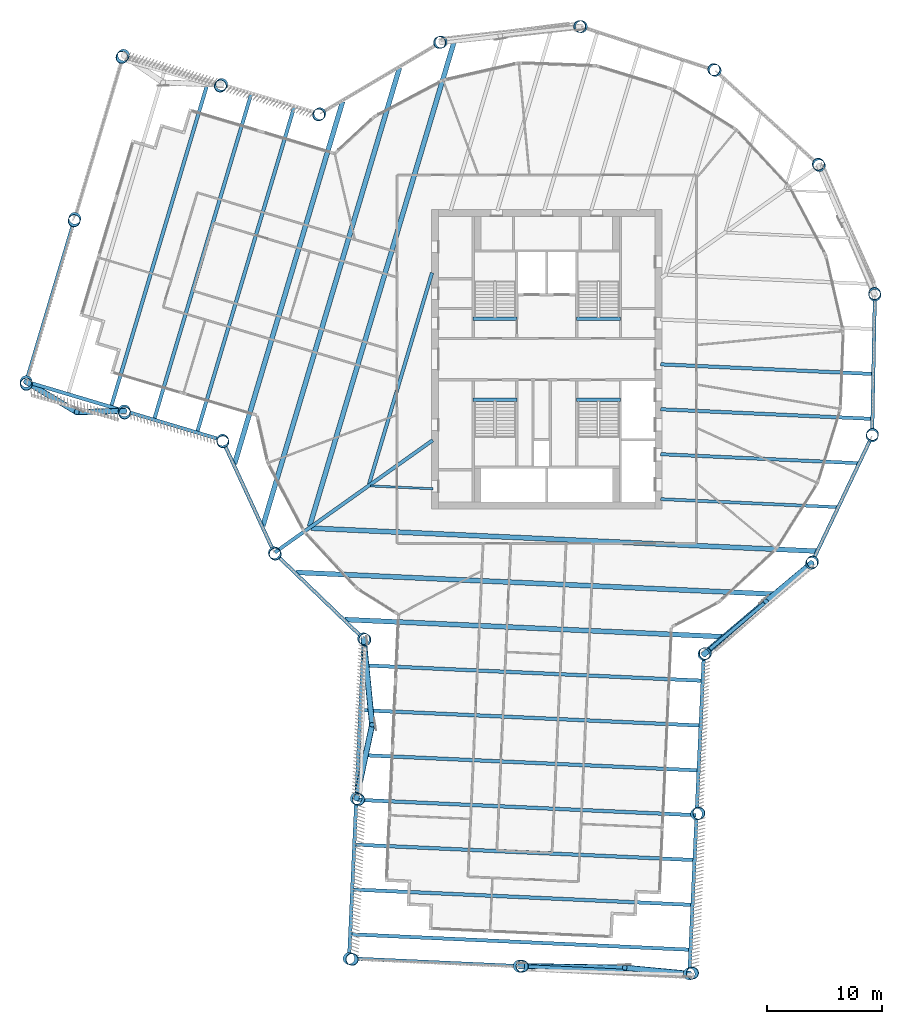
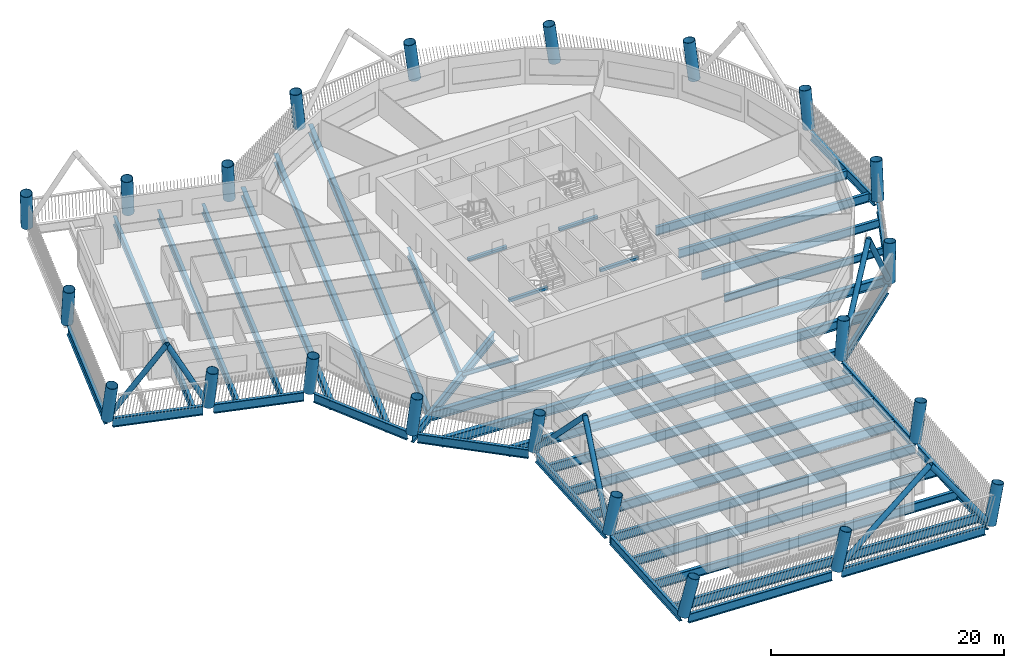
# One storey, part 1 of 24: 41 beams, 22 columns, 8 members.
"""IFC4 building model written with IfcOpenShell, lengths in metres."""

from ifc_helpers import new_model, si_unit, direction, frame, origin, origin_2d, place, context, subcontext, project, spatial, rectangle, hollow_circle, i_section, extrude, material, material_profile, profile_set, type_object, element, save


model = new_model("IFC4")

# Units and contexts
model_context = context("Model", 3, precision=1e-05, world=origin(), true_north=direction((0.0, 1.0)))
body_context = subcontext(model_context, "Body", "Model", "MODEL_VIEW")
ifc_project = project(units=[si_unit("LENGTHUNIT", "METRE"), si_unit("AREAUNIT", "SQUARE_METRE"), si_unit("VOLUMEUNIT", "CUBIC_METRE"), si_unit("PLANEANGLEUNIT", "RADIAN"), si_unit("MASSUNIT", "GRAM", prefix="KILO")], contexts=[model_context])

# Site, building, storey
site_placement = place(None, origin())
site = spatial("IfcSite", under=ifc_project, at=site_placement, CompositionType="ELEMENT")
building_placement = place(site_placement, origin())
building = spatial("IfcBuilding", under=site, at=building_placement, Name="Tarsis Ring Headquarters", CompositionType="ELEMENT")
storey_placement = place(building_placement, frame((0.0, 0.0, 216.0)))
storey = spatial("IfcBuildingStorey", under=building, at=storey_placement, Name="L50", CompositionType="ELEMENT", Elevation=216.0)

# Columns
ifc_material_1 = material(Name="Structural steel S355", Category="steel")
ifc_material_profile_1 = material_profile(ifc_material_1, hollow_circle(Radius=0.533447265625, WallThickness=0.044921875, at=origin_2d()), Name="CHS 1067x45")
ifc_profile_set_1 = profile_set([ifc_material_profile_1], Name="Structural steel S355")
column_type = type_object("IfcColumnType", Name="XC Exo column CHS 1067x45", PredefinedType="COLUMN", material=ifc_profile_set_1)
for number, where, z_axis, x_axis, name in (
    (1, (-23.67822265625, -16.827392578125, 0.0009765625), (0.072592474358, -0.100311860971, 0.992304319861), (0.810122967529, 0.586259991371, 0.0), "Exo column XC5 F1"),
    (2, (-15.91845703125, -24.298583984375, 0.0009765625), (0.104103814628, -0.066937199018, 0.992311345883), (0.540833729925, 0.841129524256, 0.0), "Exo column XC5 AK"),
):
    element("IfcColumn", number, at=place(storey_placement, frame(where, z_axis=z_axis, x_axis=x_axis)), inside=storey, type_object=column_type, Name=name, PredefinedType="COLUMN", context=body_context, shape_type="SweptSolid", body=[
        extrude(hollow_circle(Radius=0.533447265625, WallThickness=0.044921875, at=origin_2d()), origin(), (0.0, 0.0, 1.0), 3.92822265625),
    ])
column_1_placement = place(storey_placement, frame((-16.549072265625, -38.1865234375, 0.00146484375), z_axis=(0.162060969529, -0.068635410611, 0.984390889112), x_axis=(0.389982878965, 0.920822107746, 0.0)))
element("IfcColumn", 3, at=column_1_placement, inside=storey, type_object=column_type, Name="Exo column XC5 AI1", PredefinedType="COLUMN", context=body_context, shape_type="SweptSolid", body=[
    extrude(hollow_circle(Radius=0.533447265625, WallThickness=0.044921875, at=origin_2d()), origin(), (0.0, 0.0, 1.0), 3.958984375),
])
column_2_placement = place(storey_placement, frame((-17.179443359375, -52.074462890625, 0.001708984375), z_axis=(0.218334938268, -0.070013550037, 0.973359110268), x_axis=(0.305354745781, 0.952238667157, 0.0)))
element("IfcColumn", 4, at=column_2_placement, inside=storey, type_object=column_type, Name="Exo column XC5 AT1", PredefinedType="COLUMN", context=body_context, shape_type="SweptSolid", body=[
    extrude(hollow_circle(Radius=0.533447265625, WallThickness=0.044921875, at=origin_2d()), origin(), (0.0, 0.0, 1.0), 4.003173828125),
])
column_3_placement = place(storey_placement, frame((-2.394775390625, -52.74560546875, 0.001708984375), z_axis=(0.221061694415, -0.008187470164, 0.975225457315), x_axis=(0.03701166051, 0.999314833767, 0.0)))
element("IfcColumn", 5, at=column_3_placement, inside=storey, type_object=column_type, Name="Exo column XC5 AT2", PredefinedType="COLUMN", context=body_context, shape_type="SweptSolid", body=[
    extrude(hollow_circle(Radius=0.533447265625, WallThickness=0.044921875, at=origin_2d()), origin(), (0.0, 0.0, 1.0), 3.99560546875),
])
column_4_placement = place(storey_placement, frame((12.389892578125, -53.4169921875, 0.001708984375), z_axis=(0.222967314576, 0.053668281408, 0.973347467352), x_axis=(-0.23401659987, 0.972232601277, 0.0)))
element("IfcColumn", 6, at=column_4_placement, inside=storey, type_object=column_type, Name="Exo column XC5 AT3", PredefinedType="COLUMN", context=body_context, shape_type="SweptSolid", body=[
    extrude(hollow_circle(Radius=0.533447265625, WallThickness=0.044921875, at=origin_2d()), origin(), (0.0, 0.0, 1.0), 4.003173828125),
])
column_5_placement = place(storey_placement, frame((13.0205078125, -39.529052734375, 0.00146484375), z_axis=(0.166685961701, 0.05648699257, 0.984390679478), x_axis=(-0.320954053144, 0.947094765992, 0.0)))
element("IfcColumn", 7, at=column_5_placement, inside=storey, type_object=column_type, Name="Exo column XC5 AO1", PredefinedType="COLUMN", context=body_context, shape_type="SweptSolid", body=[
    extrude(hollow_circle(Radius=0.533447265625, WallThickness=0.044921875, at=origin_2d()), origin(), (0.0, 0.0, 1.0), 3.958984375),
])
for number, where, z_axis, x_axis, name in (
    (8, (13.651123046875, -25.64111328125, 0.0009765625), (0.108764896499, 0.059105952326, 0.992308764291), (-0.47747961594, 0.878642826387, 0.0), "Exo column XC5 AJ"),
    (9, (23.00634765625, -17.734619140625, 0.0009765625), (0.074767801101, 0.098695983498, 0.992304831571), (-0.797099469446, 0.603848023768, 0.0), "Exo column XC5 R1"),
    (10, (28.271240234375, -6.675048828125, 0.0009765625), (0.02740860416, 0.120759450981, 0.99230334244), (-0.975196908675, 0.221339082206, 0.0), "Exo column XC5 R2"),
    (11, (28.50927734375, 5.571533203125, 0.0009765625), (-0.024798271683, 0.12131886297, 0.992303773655), (-0.979741798547, -0.200264845092, 0.0), "Exo column XC5 R3"),
    (12, (23.67822265625, 16.827392578125, 0.0009765625), (-0.072592474358, 0.100311860971, 0.992304319861), (-0.810122967529, -0.586259991371, 0.0), "Exo column XC5 R4"),
    (13, (14.636962890625, 25.09130859375, 0.0009765625), (-0.107459580553, 0.061467625892, 0.99230749746), (-0.496517351988, -0.868026796346, 0.0), "Exo column XC5 R5"),
    (14, (2.993408203125, 28.893798828125, 0.0009765625), (-0.123245901594, 0.011746583662, 0.992306638853), (-0.09488016367, -0.995488701363, 0.0), "Exo column XC5 R6"),
    (15, (-9.182373046875, 27.55908203125, 0.0009765625), (-0.117154507746, -0.040149502389, 0.992301788154), (0.324196017472, -0.945989927143, 0.0), "Exo column XC5 R7"),
    (16, (-19.7255859375, 21.323974609375, 0.0009765625), (-0.090242981776, -0.084835860967, 0.992299894656), (0.684941975978, -0.728597618403, 0.0), "Exo column XC5 BJ"),
):
    element("IfcColumn", number, at=place(storey_placement, frame(where, z_axis=z_axis, x_axis=x_axis)), inside=storey, type_object=column_type, Name=name, PredefinedType="COLUMN", context=body_context, shape_type="SweptSolid", body=[
        extrude(hollow_circle(Radius=0.533447265625, WallThickness=0.044921875, at=origin_2d()), origin(), (0.0, 0.0, 1.0), 3.92822265625),
    ])
column_6_placement = place(storey_placement, frame((-28.2568359375, 23.8671875, 0.001220703125), z_axis=(-0.100282962926, -0.120698371788, 0.987610869925), x_axis=(0.769157578713, -0.639059167142, 0.0)))
element("IfcColumn", 17, at=column_6_placement, inside=storey, type_object=column_type, Name="Exo column XC5 BO1", PredefinedType="COLUMN", context=body_context, shape_type="SweptSolid", body=[
    extrude(hollow_circle(Radius=0.533447265625, WallThickness=0.044921875, at=origin_2d()), origin(), (0.0, 0.0, 1.0), 3.9462890625),
])
column_7_placement = place(storey_placement, frame((-36.7880859375, 26.410400390625, 0.00146484375), z_axis=(-0.110077068993, -0.156075754806, 0.981592276683), x_axis=(0.817199805349, -0.576354472645, 0.0)))
element("IfcColumn", 18, at=column_7_placement, inside=storey, type_object=column_type, Name="Exo column XC5 BT3", PredefinedType="COLUMN", context=body_context, shape_type="SweptSolid", body=[
    extrude(hollow_circle(Radius=0.533447265625, WallThickness=0.044921875, at=origin_2d()), origin(), (0.0, 0.0, 1.0), 3.969970703125),
])
column_8_placement = place(storey_placement, frame((-41.016357421875, 12.227294921875, 0.00146484375), z_axis=(-0.050213639527, -0.173745353946, 0.983509604624), x_axis=(0.96068389897, -0.277644460163, 0.0)))
element("IfcColumn", 19, at=column_8_placement, inside=storey, type_object=column_type, Name="Exo column XC5 BT2", PredefinedType="COLUMN", context=body_context, shape_type="SweptSolid", body=[
    extrude(hollow_circle(Radius=0.533447265625, WallThickness=0.044921875, at=origin_2d()), origin(), (0.0, 0.0, 1.0), 3.962646484375),
])
column_9_placement = place(storey_placement, frame((-45.244384765625, -1.9560546875, 0.00146484375), z_axis=(0.009839360721, -0.190699109976, 0.981599223938), x_axis=(0.998671564821, 0.051527716985, 0.0)))
element("IfcColumn", 20, at=column_9_placement, inside=storey, type_object=column_type, Name="Exo column XC5 BT1", PredefinedType="COLUMN", context=body_context, shape_type="SweptSolid", body=[
    extrude(hollow_circle(Radius=0.533447265625, WallThickness=0.044921875, at=origin_2d()), origin(), (0.0, 0.0, 1.0), 3.969970703125),
])
column_10_placement = place(storey_placement, frame((-36.713134765625, -4.499267578125, 0.001220703125), z_axis=(0.02041540562, -0.155590136767, 0.987610713062), x_axis=(0.991501195988, 0.130097572436, 0.0)))
element("IfcColumn", 21, at=column_10_placement, inside=storey, type_object=column_type, Name="Exo column XC5 BI1", PredefinedType="COLUMN", context=body_context, shape_type="SweptSolid", body=[
    extrude(hollow_circle(Radius=0.533447265625, WallThickness=0.044921875, at=origin_2d()), origin(), (0.0, 0.0, 1.0), 3.9462890625),
])
column_11_placement = place(storey_placement, frame((-28.181884765625, -7.04248046875, 0.0009765625), z_axis=(0.031013576233, -0.119828005965, 0.992310136538), x_axis=(0.968100725777, 0.250561339296, 0.0)))
element("IfcColumn", 22, at=column_11_placement, inside=storey, type_object=column_type, Name="Exo column XC5 BK", PredefinedType="COLUMN", context=body_context, shape_type="SweptSolid", body=[
    extrude(hollow_circle(Radius=0.533447265625, WallThickness=0.044921875, at=origin_2d()), origin(), (0.0, 0.0, 1.0), 3.92822265625),
])

# Beams
ifc_material_profile_2 = material_profile(ifc_material_1, i_section(OverallWidth=0.1904296875, OverallDepth=0.457275390625, WebThickness=0.009033203125, FlangeThickness=0.014404296875, at=origin_2d()), Name="W18x50")
ifc_profile_set_2 = profile_set([ifc_material_profile_2], Name="Structural steel S355")
beam_type_1 = type_object("IfcBeamType", Name="FB Floor beam W18x50", PredefinedType="JOIST", material=ifc_profile_set_2)
beam_1_placement = place(storey_placement, frame((-15.339111328125, -11.015625, -0.388671875), z_axis=(0.998971865944, -0.045334435608, 0.0), x_axis=(0.045334435608, 0.998971865944, 0.0)))
element("IfcBeam", 23, at=beam_1_placement, inside=storey, type_object=beam_type_1, Name="Floor beam FB2", PredefinedType="JOIST", context=body_context, shape_type="SweptSolid", body=[
    extrude(i_section(OverallWidth=0.1904296875, OverallDepth=0.457275390625, WebThickness=0.009033203125, FlangeThickness=0.014404296875, at=origin_2d()), origin(), (0.0, 0.0, 1.0), 5.444580078125),
])
ifc_material_profile_3 = material_profile(ifc_material_1, i_section(OverallWidth=0.2666015625, OverallDepth=0.7568359375, WebThickness=0.013916015625, FlangeThickness=0.019287109375, at=origin_2d()), Name="W30x108")
ifc_profile_set_3 = profile_set([ifc_material_profile_3], Name="Structural steel S355")
beam_type_2 = type_object("IfcBeamType", Name="FB Floor beam W30x108", PredefinedType="JOIST", material=ifc_profile_set_3)
beam_2_placement = place(storey_placement, frame((9.900146484375, -12.16162109375, -0.538330078125), z_axis=(0.998970209455, -0.045370922636, 0.0), x_axis=(0.045370922636, 0.998970209455, 0.0)))
element("IfcBeam", 24, at=beam_2_placement, inside=storey, type_object=beam_type_2, Name="Floor beam FB6", PredefinedType="JOIST", context=body_context, shape_type="SweptSolid", body=[
    extrude(i_section(OverallWidth=0.2666015625, OverallDepth=0.7568359375, WebThickness=0.013916015625, FlangeThickness=0.019287109375, at=origin_2d()), origin(), (0.0, 0.0, 1.0), 15.37353515625),
])
ifc_material_profile_4 = material_profile(ifc_material_1, i_section(OverallWidth=0.2919921875, OverallDepth=0.835693359375, WebThickness=0.013916015625, FlangeThickness=0.018798828125, at=origin_2d()), Name="W33x118")
ifc_profile_set_4 = profile_set([ifc_material_profile_4], Name="Structural steel S355")
beam_type_3 = type_object("IfcBeamType", Name="FB Floor beam W33x118", PredefinedType="JOIST", material=ifc_profile_set_4)
beam_3_placement = place(storey_placement, frame((9.900146484375, -8.257568359375, -0.577880859375), z_axis=(0.998970471513, -0.045365152318, 0.0), x_axis=(0.045365152318, 0.998970471513, 0.0)))
element("IfcBeam", 25, at=beam_3_placement, inside=storey, type_object=beam_type_3, Name="Floor beam FB7", PredefinedType="JOIST", context=body_context, shape_type="SweptSolid", body=[
    extrude(i_section(OverallWidth=0.2919921875, OverallDepth=0.835693359375, WebThickness=0.013916015625, FlangeThickness=0.018798828125, at=origin_2d()), origin(), (0.0, 0.0, 1.0), 17.194580078125),
])
ifc_material_profile_5 = material_profile(ifc_material_1, i_section(OverallWidth=0.3046875, OverallDepth=0.904296875, WebThickness=0.01513671875, FlangeThickness=0.02001953125, at=origin_2d()), Name="W36x135")
ifc_profile_set_5 = profile_set([ifc_material_profile_5], Name="Structural steel S355")
beam_type_4 = type_object("IfcBeamType", Name="FB Floor beam W36x135", PredefinedType="JOIST", material=ifc_profile_set_5)
beam_4_placement = place(storey_placement, frame((9.900146484375, -0.449462890625, -0.612060546875), z_axis=(0.99897012292, -0.045372827907, 0.0), x_axis=(0.045372827907, 0.99897012292, 0.0)))
element("IfcBeam", 26, at=beam_4_placement, inside=storey, type_object=beam_type_4, Name="Floor beam FB8", PredefinedType="JOIST", context=body_context, shape_type="SweptSolid", body=[
    extrude(i_section(OverallWidth=0.3046875, OverallDepth=0.904296875, WebThickness=0.01513671875, FlangeThickness=0.02001953125, at=origin_2d()), origin(), (0.0, 0.0, 1.0), 18.43994140625),
])
beam_5_placement = place(storey_placement, frame((9.900146484375, -4.353515625, -0.612060546875), z_axis=(0.998970649822, -0.045361225658, 0.0), x_axis=(0.045361225658, 0.998970649822, 0.0)))
element("IfcBeam", 27, at=beam_5_placement, inside=storey, type_object=beam_type_4, Name="Floor beam FB8", PredefinedType="JOIST", context=body_context, shape_type="SweptSolid", body=[
    extrude(i_section(OverallWidth=0.3046875, OverallDepth=0.904296875, WebThickness=0.01513671875, FlangeThickness=0.02001953125, at=origin_2d()), origin(), (0.0, 0.0, 1.0), 18.36376953125),
])
beam_6_placement = place(storey_placement, frame((-9.971435546875, 7.505126953125, -0.612060546875), z_axis=(-0.285686918786, -0.958323006316, 0.0), x_axis=(0.958323006316, -0.285686918786, 0.0)))
element("IfcBeam", 28, at=beam_6_placement, inside=storey, type_object=beam_type_4, Name="Floor beam FB8", PredefinedType="JOIST", context=body_context, shape_type="SweptSolid", body=[
    extrude(i_section(OverallWidth=0.3046875, OverallDepth=0.904296875, WebThickness=0.01513671875, FlangeThickness=0.02001953125, at=origin_2d()), origin(), (0.0, 0.0, 1.0), 19.167236328125),
])
ifc_material_profile_6 = material_profile(ifc_material_1, i_section(OverallWidth=0.309814453125, OverallDepth=0.949951171875, WebThickness=0.0244140625, FlangeThickness=0.0439453125, at=origin_2d()), Name="W36x256")
ifc_profile_set_6 = profile_set([ifc_material_profile_6], Name="Structural steel S355")
beam_type_5 = type_object("IfcBeamType", Name="FB Floor beam W36x256", PredefinedType="JOIST", material=ifc_profile_set_6)
for number, where, z_axis, x_axis, name in (
    (29, (-15.96826171875, -26.60302734375, -0.635009765625), (0.99897074101, -0.045359217433, 0.0), (0.045359217433, 0.99897074101, 0.0), "Floor beam FB11"),
    (30, (-16.145263671875, -30.4990234375, -0.635009765625), (0.99897074101, -0.045359217433, 0.0), (0.045359217433, 0.99897074101, 0.0), "Floor beam FB11"),
    (31, (-16.322021484375, -34.39501953125, -0.635009765625), (0.99897074101, -0.045359217433, 0.0), (0.045359217433, 0.99897074101, 0.0), "Floor beam FB11"),
    (32, (-16.4990234375, -38.291015625, -0.635009765625), (0.99897074101, -0.045359217433, 0.0), (0.045359217433, 0.99897074101, 0.0), "Floor beam FB11"),
    (33, (-16.676025390625, -42.18701171875, -0.635009765625), (0.99897074101, -0.045359217433, 0.0), (0.045359217433, 0.99897074101, 0.0), "Floor beam FB11"),
    (34, (-16.852783203125, -46.0830078125, -0.635009765625), (0.99897074101, -0.045359217433, 0.0), (0.045359217433, 0.99897074101, 0.0), "Floor beam FB11"),
    (35, (-17.02978515625, -49.97900390625, -0.635009765625), (0.99897074101, -0.045359217433, 0.0), (0.045359217433, 0.99897074101, 0.0), "Floor beam FB11"),
    (36, (-21.94970703125, 21.9296875, -0.635009765625), (-0.285690948844, -0.958321804901, 0.0), (0.958321804901, -0.285690948844, 0.0), "Floor beam FB11"),
    (37, (-25.687255859375, 23.0439453125, -0.635009765625), (-0.285683345784, -0.958324071461, 0.0), (0.958324071461, -0.285683345784, 0.0), "Floor beam FB11"),
    (38, (-29.424560546875, 24.158203125, -0.635009765625), (-0.285690948844, -0.958321804901, 0.0), (0.958321804901, -0.285690948844, 0.0), "Floor beam FB11"),
):
    element("IfcBeam", number, at=place(storey_placement, frame(where, z_axis=z_axis, x_axis=x_axis)), inside=storey, type_object=beam_type_5, Name=name, PredefinedType="JOIST", context=body_context, shape_type="SweptSolid", body=[
        extrude(i_section(OverallWidth=0.309814453125, OverallDepth=0.949951171875, WebThickness=0.0244140625, FlangeThickness=0.0439453125, at=origin_2d()), origin(), (0.0, 0.0, 1.0), 29.489990234375),
    ])
beam_type_6 = type_object("IfcBeamType", Name="FB Floor beam W36x256 spine", PredefinedType="BEAM", material=ifc_profile_set_6)
beam_7_placement = place(storey_placement, frame((-9.91845703125, -7.048583984375, -0.635009765625), z_axis=(-0.815124505897, -0.579285801558, 0.0), x_axis=(0.579285801558, -0.815124505897, 0.0)))
element("IfcBeam", 39, at=beam_7_placement, inside=storey, type_object=beam_type_6, Name="Floor beam SB11", PredefinedType="BEAM", context=body_context, shape_type="SweptSolid", body=[
    extrude(i_section(OverallWidth=0.309814453125, OverallDepth=0.949951171875, WebThickness=0.0244140625, FlangeThickness=0.0439453125, at=origin_2d()), origin(), (0.0, 0.0, 1.0), 16.822998046875),
])
ifc_material_profile_7 = material_profile(ifc_material_1, i_section(OverallWidth=0.42431640625, OverallDepth=0.947509765625, WebThickness=0.02392578125, FlangeThickness=0.042724609375, at=origin_2d()), Name="W36x302")
ifc_profile_set_7 = profile_set([ifc_material_profile_7], Name="Structural steel S355")
beam_type_7 = type_object("IfcBeamType", Name="FB Floor beam W36x302", PredefinedType="JOIST", material=ifc_profile_set_7)
beam_8_placement = place(storey_placement, frame((-20.502685546875, -14.68505859375, -0.6337890625), z_axis=(0.998970576233, -0.045362846251, 0.0), x_axis=(0.045362846251, 0.998970576233, 0.0)))
element("IfcBeam", 40, at=beam_8_placement, inside=storey, type_object=beam_type_7, Name="Floor beam FB12", PredefinedType="JOIST", context=body_context, shape_type="SweptSolid", body=[
    extrude(i_section(OverallWidth=0.42431640625, OverallDepth=0.947509765625, WebThickness=0.02392578125, FlangeThickness=0.042724609375, at=origin_2d()), origin(), (0.0, 0.0, 1.0), 43.986572265625),
])
beam_9_placement = place(storey_placement, frame((-21.780517578125, -18.531005859375, -0.6337890625), z_axis=(0.998970406274, -0.045366588907, 0.0), x_axis=(0.045366588907, 0.998970406274, 0.0)))
element("IfcBeam", 41, at=beam_9_placement, inside=storey, type_object=beam_type_7, Name="Floor beam FB12", PredefinedType="JOIST", context=body_context, shape_type="SweptSolid", body=[
    extrude(i_section(OverallWidth=0.42431640625, OverallDepth=0.947509765625, WebThickness=0.02392578125, FlangeThickness=0.042724609375, at=origin_2d()), origin(), (0.0, 0.0, 1.0), 41.523681640625),
])
beam_10_placement = place(storey_placement, frame((-17.52490234375, -22.62841796875, -0.6337890625), z_axis=(0.998970713363, -0.045359826322, 0.0), x_axis=(0.045359826322, 0.998970713363, 0.0)))
element("IfcBeam", 42, at=beam_10_placement, inside=storey, type_object=beam_type_7, Name="Floor beam FB12", PredefinedType="JOIST", context=body_context, shape_type="SweptSolid", body=[
    extrude(i_section(OverallWidth=0.42431640625, OverallDepth=0.947509765625, WebThickness=0.02392578125, FlangeThickness=0.042724609375, at=origin_2d()), origin(), (0.0, 0.0, 1.0), 32.875244140625),
])
beam_11_placement = place(storey_placement, frame((-8.04443359375, 27.62060546875, -0.6337890625), z_axis=(-0.28568744209, -0.958322850313, 0.0), x_axis=(0.958322850313, -0.28568744209, 0.0)))
element("IfcBeam", 43, at=beam_11_placement, inside=storey, type_object=beam_type_7, Name="Floor beam FB12", PredefinedType="JOIST", context=body_context, shape_type="SweptSolid", body=[
    extrude(i_section(OverallWidth=0.42431640625, OverallDepth=0.947509765625, WebThickness=0.02392578125, FlangeThickness=0.042724609375, at=origin_2d()), origin(), (0.0, 0.0, 1.0), 43.986572265625),
])
beam_12_placement = place(storey_placement, frame((-12.80029296875, 25.318359375, -0.6337890625), z_axis=(-0.285688229433, -0.958322615596, 0.0), x_axis=(0.958322615596, -0.285688229433, 0.0)))
element("IfcBeam", 44, at=beam_12_placement, inside=storey, type_object=beam_type_7, Name="Floor beam FB12", PredefinedType="JOIST", context=body_context, shape_type="SweptSolid", body=[
    extrude(i_section(OverallWidth=0.42431640625, OverallDepth=0.947509765625, WebThickness=0.02392578125, FlangeThickness=0.042724609375, at=origin_2d()), origin(), (0.0, 0.0, 1.0), 41.523681640625),
])
beam_13_placement = place(storey_placement, frame((-17.740966796875, 22.396728515625, -0.6337890625), z_axis=(-0.285688467523, -0.958322544619, 0.0), x_axis=(0.958322544619, -0.285688467523, 0.0)))
element("IfcBeam", 45, at=beam_13_placement, inside=storey, type_object=beam_type_7, Name="Floor beam FB12", PredefinedType="JOIST", context=body_context, shape_type="SweptSolid", body=[
    extrude(i_section(OverallWidth=0.42431640625, OverallDepth=0.947509765625, WebThickness=0.02392578125, FlangeThickness=0.042724609375, at=origin_2d()), origin(), (0.0, 0.0, 1.0), 32.875244140625),
])
ifc_material_2 = material(Name="Concrete C40/50", Category="concrete")
ifc_material_profile_8 = material_profile(ifc_material_2, rectangle(XDim=0.300048828125, YDim=0.300048828125, at=origin_2d()), Name="Stair head beam 300x300 C40/50")
ifc_profile_set_8 = profile_set([ifc_material_profile_8], Name="Concrete C40/50")
beam_type_8 = type_object("IfcBeamType", Name="Stair head beam 300x300 C40/50", PredefinedType="BEAM", material=ifc_profile_set_8)
for number, where, z_axis, x_axis, name in (
    (46, (-6.39990234375, 3.510009765625, -0.31005859375), (1.0, 0.0, 0.0), (0.0, 1.0, 0.0), "Stair head beam L50 Firefighting stair"),
    (47, (2.60009765625, 3.510009765625, -0.31005859375), (1.0, 0.0, 0.0), (0.0, 1.0, 0.0), "Stair head beam L50 Exit stair B"),
    (48, (-6.39990234375, -3.510009765625, -0.31005859375), (1.0, 0.0, 0.0), (0.0, 1.0, 0.0), "Stair head beam L50 Exit stair C"),
    (49, (2.60009765625, -3.510009765625, -0.31005859375), (1.0, 0.0, 0.0), (0.0, 1.0, 0.0), "Stair head beam L50 Exit stair D"),
):
    element("IfcBeam", number, at=place(storey_placement, frame(where, z_axis=z_axis, x_axis=x_axis)), inside=storey, type_object=beam_type_8, Name=name, PredefinedType="BEAM", context=body_context, shape_type="SweptSolid", body=[
        extrude(rectangle(XDim=0.300048828125, YDim=0.300048828125, at=origin_2d()), origin(), (0.0, 0.0, 1.0), 3.7998046875),
    ])

# Members
ifc_material_profile_9 = material_profile(ifc_material_1, hollow_circle(Radius=0.25390625, WallThickness=0.02001953125, at=origin_2d()), Name="CHS 508x20")
ifc_profile_set_9 = profile_set([ifc_material_profile_9], Name="Structural steel S355")
member_type = type_object("IfcMemberType", Name="XD X brace CHS 508x20", PredefinedType="BRACE", material=ifc_profile_set_9)
member_1_placement = place(storey_placement, frame((-15.918701171875, -24.29833984375, 0.0), z_axis=(0.068422199438, -0.690062913845, 0.720507860859), x_axis=(0.995120237015, 0.098669721203, 0.0)))
element("IfcMember", 50, at=member_1_placement, inside=storey, type_object=member_type, Name="X brace XD2", PredefinedType="BRACE", context=body_context, shape_type="SweptSolid", body=[
    extrude(hollow_circle(Radius=0.25390625, WallThickness=0.02001953125, at=origin_2d()), origin(), (0.0, 0.0, 1.0), 10.82568359375),
])
member_2_placement = place(storey_placement, frame((-16.54931640625, -38.186279296875, 0.0), z_axis=(0.134531953399, 0.629572178572, 0.765205871307), x_axis=(-0.977922030315, 0.208970099836, 0.0)))
element("IfcMember", 51, at=member_2_placement, inside=storey, type_object=member_type, Name="X brace XD2", PredefinedType="BRACE", context=body_context, shape_type="SweptSolid", body=[
    extrude(hollow_circle(Radius=0.25390625, WallThickness=0.02001953125, at=origin_2d()), origin(), (0.0, 0.0, 1.0), 10.193359375),
])
member_3_placement = place(storey_placement, frame((-2.395263671875, -52.74560546875, 0.0), z_axis=(0.761599136527, -0.011499126845, 0.647946390779), x_axis=(0.015096939837, 0.99988603471, 0.0)))
element("IfcMember", 52, at=member_3_placement, inside=storey, type_object=member_type, Name="X brace XD2", PredefinedType="BRACE", context=body_context, shape_type="SweptSolid", body=[
    extrude(hollow_circle(Radius=0.25390625, WallThickness=0.02001953125, at=origin_2d()), origin(), (0.0, 0.0, 1.0), 12.0380859375),
])
member_4_placement = place(storey_placement, frame((12.3896484375, -53.4169921875, 0.0), z_axis=(-0.583454004775, 0.055362952813, 0.810256976377), x_axis=(-0.094463976191, -0.995528280463, 0.0)))
element("IfcMember", 53, at=member_4_placement, inside=storey, type_object=member_type, Name="X brace XD2", PredefinedType="BRACE", context=body_context, shape_type="SweptSolid", body=[
    extrude(hollow_circle(Radius=0.25390625, WallThickness=0.02001953125, at=origin_2d()), origin(), (0.0, 0.0, 1.0), 9.626708984375),
])
member_5_placement = place(storey_placement, frame((13.65087890625, -25.64111328125, 0.0), z_axis=(0.512194818278, 0.434834715599, 0.740658651633), x_axis=(-0.647189586192, 0.762329088731, 0.0)))
element("IfcMember", 54, at=member_5_placement, inside=storey, type_object=member_type, Name="X brace XD2", PredefinedType="BRACE", context=body_context, shape_type="SweptSolid", body=[
    extrude(hollow_circle(Radius=0.25390625, WallThickness=0.02001953125, at=origin_2d()), origin(), (0.0, 0.0, 1.0), 10.53125),
])
member_6_placement = place(storey_placement, frame((23.00634765625, -17.73486328125, 0.0), z_axis=(-0.423247733851, -0.355454016344, 0.833374944461), x_axis=(0.643113500051, -0.765770870465, 0.0)))
element("IfcMember", 55, at=member_6_placement, inside=storey, type_object=member_type, Name="X brace XD2", PredefinedType="BRACE", context=body_context, shape_type="SweptSolid", body=[
    extrude(hollow_circle(Radius=0.25390625, WallThickness=0.02001953125, at=origin_2d()), origin(), (0.0, 0.0, 1.0), 9.359619140625),
])
member_7_placement = place(storey_placement, frame((-45.244384765625, -1.955810546875, 0.0), z_axis=(0.470958882113, -0.283061743572, 0.835508097319), x_axis=(0.515146511314, 0.857102136202, 0.0)))
element("IfcMember", 56, at=member_7_placement, inside=storey, type_object=member_type, Name="X brace XD2", PredefinedType="BRACE", context=body_context, shape_type="SweptSolid", body=[
    extrude(hollow_circle(Radius=0.25390625, WallThickness=0.02001953125, at=origin_2d()), origin(), (0.0, 0.0, 1.0), 9.335693359375),
])
member_8_placement = place(storey_placement, frame((-36.713134765625, -4.4990234375, 0.0), z_axis=(-0.468307801096, -0.011254873047, 0.883493707541), x_axis=(0.024026130007, -0.999711330874, 0.0)))
element("IfcMember", 57, at=member_8_placement, inside=storey, type_object=member_type, Name="X brace XD2", PredefinedType="BRACE", context=body_context, shape_type="SweptSolid", body=[
    extrude(hollow_circle(Radius=0.25390625, WallThickness=0.02001953125, at=origin_2d()), origin(), (0.0, 0.0, 1.0), 8.82861328125),
])

# Beams
beam_type_9 = type_object("IfcBeamType", Name="XG Ring girder W36x256", PredefinedType="BEAM", material=ifc_profile_set_6)
beam_14_placement = place(storey_placement, frame((-23.33251953125, -17.16015625, -0.47509765625), z_axis=(0.720366717817, -0.693593390872, 0.0), x_axis=(0.693593390872, 0.720366717817, 0.0)))
element("IfcBeam", 58, at=beam_14_placement, inside=storey, type_object=beam_type_9, Name="Ring girder XG2", PredefinedType="BEAM", context=body_context, shape_type="SweptSolid", body=[
    extrude(i_section(OverallWidth=0.309814453125, OverallDepth=0.949951171875, WebThickness=0.0244140625, FlangeThickness=0.0439453125, at=origin_2d()), origin(), (0.0, 0.0, 1.0), 9.811767578125),
])
for number, where, z_axis, x_axis, name in (
    (59, (-15.9404296875, -24.778076171875, -0.47509765625), (-0.045368298971, -0.998970328613, 0.0), (0.998970328613, -0.045368298971, 0.0), "Ring girder XG2"),
    (60, (-16.571044921875, -38.666015625, -0.47509765625), (-0.045368298971, -0.998970328613, 0.0), (0.998970328613, -0.045368298971, 0.0), "Ring girder XG2"),
):
    element("IfcBeam", number, at=place(storey_placement, frame(where, z_axis=z_axis, x_axis=x_axis)), inside=storey, type_object=beam_type_9, Name=name, PredefinedType="BEAM", context=body_context, shape_type="SweptSolid", body=[
        extrude(i_section(OverallWidth=0.309814453125, OverallDepth=0.949951171875, WebThickness=0.0244140625, FlangeThickness=0.0439453125, at=origin_2d()), origin(), (0.0, 0.0, 1.0), 12.942138671875),
    ])
beam_15_placement = place(storey_placement, frame((-16.700439453125, -52.095947265625, -0.47509765625), z_axis=(0.998970212633, -0.045370852673, 0.0), x_axis=(0.045370852673, 0.998970212633, 0.0)))
element("IfcBeam", 61, at=beam_15_placement, inside=storey, type_object=beam_type_9, Name="Ring girder XG2", PredefinedType="BEAM", context=body_context, shape_type="SweptSolid", body=[
    extrude(i_section(OverallWidth=0.309814453125, OverallDepth=0.949951171875, WebThickness=0.0244140625, FlangeThickness=0.0439453125, at=origin_2d()), origin(), (0.0, 0.0, 1.0), 13.83984375),
])
beam_16_placement = place(storey_placement, frame((-1.91552734375, -52.767333984375, -0.47509765625), z_axis=(0.998970176319, -0.045371652219, 0.0), x_axis=(0.045371652219, 0.998970176319, 0.0)))
element("IfcBeam", 62, at=beam_16_placement, inside=storey, type_object=beam_type_9, Name="Ring girder XG2", PredefinedType="BEAM", context=body_context, shape_type="SweptSolid", body=[
    extrude(i_section(OverallWidth=0.309814453125, OverallDepth=0.949951171875, WebThickness=0.0244140625, FlangeThickness=0.0439453125, at=origin_2d()), origin(), (0.0, 0.0, 1.0), 13.839599609375),
])
beam_17_placement = place(storey_placement, frame((12.411376953125, -52.9375, -0.47509765625), z_axis=(0.045367444034, 0.998970367439, 0.0), x_axis=(-0.998970367439, 0.045367444034, 0.0)))
element("IfcBeam", 63, at=beam_17_placement, inside=storey, type_object=beam_type_9, Name="Ring girder XG2", PredefinedType="BEAM", context=body_context, shape_type="SweptSolid", body=[
    extrude(i_section(OverallWidth=0.309814453125, OverallDepth=0.949951171875, WebThickness=0.0244140625, FlangeThickness=0.0439453125, at=origin_2d()), origin(), (0.0, 0.0, 1.0), 12.9423828125),
])
beam_18_placement = place(storey_placement, frame((13.0419921875, -39.049560546875, -0.47509765625), z_axis=(0.045368298971, 0.998970328613, 0.0), x_axis=(-0.998970328613, 0.045368298971, 0.0)))
element("IfcBeam", 64, at=beam_18_placement, inside=storey, type_object=beam_type_9, Name="Ring girder XG2", PredefinedType="BEAM", context=body_context, shape_type="SweptSolid", body=[
    extrude(i_section(OverallWidth=0.309814453125, OverallDepth=0.949951171875, WebThickness=0.0244140625, FlangeThickness=0.0439453125, at=origin_2d()), origin(), (0.0, 0.0, 1.0), 12.942138671875),
])
for number, where, z_axis, x_axis, name in (
    (65, (14.017578125, -25.331298828125, -0.47509765625), (0.763778264149, 0.645478708568, 0.0), (-0.645478708568, 0.763778264149, 0.0), "Ring girder XG2"),
    (66, (23.212646484375, -17.301513671875, -0.47509765625), (0.429811011242, 0.90291887488, 0.0), (-0.90291887488, 0.429811011242, 0.0), "Ring girder XG2"),
    (67, (28.280517578125, -6.1953125, -0.47509765625), (0.019442571206, 0.999810975347, 0.0), (-0.999810975347, 0.019442571206, 0.0), "Ring girder XG2"),
):
    element("IfcBeam", number, at=place(storey_placement, frame(where, z_axis=z_axis, x_axis=x_axis)), inside=storey, type_object=beam_type_9, Name=name, PredefinedType="BEAM", context=body_context, shape_type="SweptSolid", body=[
        extrude(i_section(OverallWidth=0.309814453125, OverallDepth=0.949951171875, WebThickness=0.0244140625, FlangeThickness=0.0439453125, at=origin_2d()), origin(), (0.0, 0.0, 1.0), 11.288818359375),
    ])
beam_19_placement = place(storey_placement, frame((-41.1533203125, 11.767333984375, -0.47509765625), z_axis=(-0.285688596205, -0.958322506257, 0.0), x_axis=(0.958322506257, -0.285688596205, 0.0)))
element("IfcBeam", 68, at=beam_19_placement, inside=storey, type_object=beam_type_9, Name="Ring girder XG2", PredefinedType="BEAM", context=body_context, shape_type="SweptSolid", body=[
    extrude(i_section(OverallWidth=0.309814453125, OverallDepth=0.949951171875, WebThickness=0.0244140625, FlangeThickness=0.0439453125, at=origin_2d()), origin(), (0.0, 0.0, 1.0), 13.83984375),
])
for number, where, z_axis, x_axis, name in (
    (69, (-44.784423828125, -2.0927734375, -0.47509765625), (0.958319806725, -0.285697651442, 0.0), (0.285697651442, 0.958319806725, 0.0), "Ring girder XG2"),
    (70, (-36.253173828125, -4.63623046875, -0.47509765625), (0.958328222681, -0.285669420156, 0.0), (0.285669420156, 0.958328222681, 0.0), "Ring girder XG2"),
):
    element("IfcBeam", number, at=place(storey_placement, frame(where, z_axis=z_axis, x_axis=x_axis)), inside=storey, type_object=beam_type_9, Name=name, PredefinedType="BEAM", context=body_context, shape_type="SweptSolid", body=[
        extrude(i_section(OverallWidth=0.309814453125, OverallDepth=0.949951171875, WebThickness=0.0244140625, FlangeThickness=0.0439453125, at=origin_2d()), origin(), (0.0, 0.0, 1.0), 7.942138671875),
    ])
beam_20_placement = place(storey_placement, frame((-27.981201171875, -7.478271484375, -0.47509765625), z_axis=(0.418106451624, -0.908398037817, 0.0), x_axis=(0.908398037817, 0.418106451624, 0.0)))
element("IfcBeam", 71, at=beam_20_placement, inside=storey, type_object=beam_type_9, Name="Ring girder XG2", PredefinedType="BEAM", context=body_context, shape_type="SweptSolid", body=[
    extrude(i_section(OverallWidth=0.309814453125, OverallDepth=0.949951171875, WebThickness=0.0244140625, FlangeThickness=0.0439453125, at=origin_2d()), origin(), (0.0, 0.0, 1.0), 9.8115234375),
])

save(model, "model.ifc")
